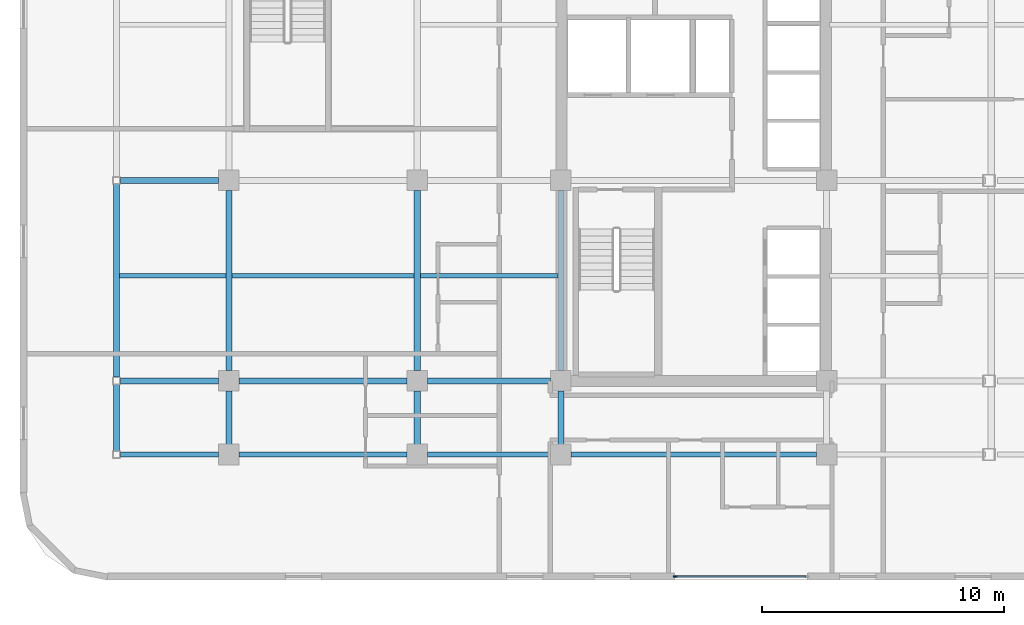
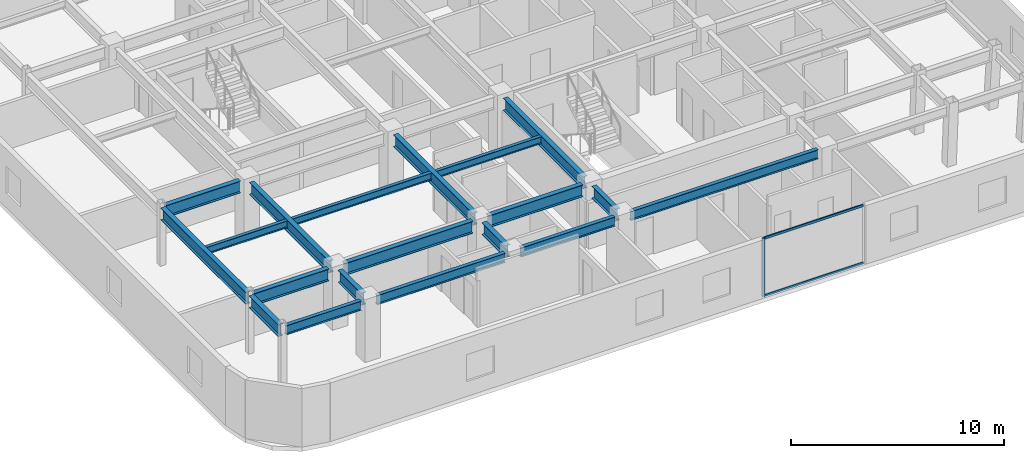
# One storey, part 4 of 13: 19 beams, 3 members, 1 element without a shape of its own.
"""IFC4 building model written with IfcOpenShell, lengths in metres."""

from ifc_helpers import new_model, si_unit, direction, frame, origin, origin_2d, place, context, subcontext, project, spatial, rectangle, i_section, extrude, material, layer, layer_set, material_profile, profile_set, type_object, element, aggregate, save


model = new_model("IFC4")

# Units and contexts
model_context = context("Model", 3, precision=1e-05, world=origin(), true_north=direction((0.0, 1.0)))
body_context = subcontext(model_context, "Body", "Model", "MODEL_VIEW")
ifc_project = project(units=[si_unit("LENGTHUNIT", "METRE"), si_unit("AREAUNIT", "SQUARE_METRE"), si_unit("VOLUMEUNIT", "CUBIC_METRE"), si_unit("PLANEANGLEUNIT", "RADIAN"), si_unit("MASSUNIT", "GRAM", prefix="KILO")], contexts=[model_context])

# Site, building, storey
site_placement = place(None, origin())
site = spatial("IfcSite", under=ifc_project, at=site_placement, CompositionType="ELEMENT")
building_placement = place(site_placement, origin())
building = spatial("IfcBuilding", under=site, at=building_placement, Name="Ochreholt Gables", CompositionType="ELEMENT")
storey_placement = place(building_placement, frame((0.0, 0.0, 56.39990234375)))
storey = spatial("IfcBuildingStorey", under=building, at=storey_placement, Name="L14", CompositionType="ELEMENT", Elevation=56.39990234375)

# Beams
ifc_material_1 = material(Name="Steel CSA G40.21 350W", Category="steel")
ifc_material_profile_1 = material_profile(ifc_material_1, i_section(OverallWidth=0.256103515625, OverallDepth=0.693115234375, WebThickness=0.014404296875, FlangeThickness=0.023681640625, at=origin_2d()), Name="W690X170")
ifc_profile_set_1 = profile_set([ifc_material_profile_1], Name="Steel CSA G40.21 350W")
beam_type_1 = type_object("IfcBeamType", Name="BM-G-W690", PredefinedType="BEAM", material=ifc_profile_set_1)
beam_1_placement = place(storey_placement, frame((5.9521484375, 9.25, 3.003662109375), z_axis=(1.0, 0.0, 0.0), x_axis=(0.0, 1.0, 0.0)))
element("IfcBeam", 1, at=beam_1_placement, inside=storey, type_object=beam_type_1, Name="L14 Beam TBG-L14-WTW2-Y2", PredefinedType="BEAM", context=body_context, shape_type="SweptSolid", body=[
    extrude(i_section(OverallWidth=0.256103515625, OverallDepth=0.693115234375, WebThickness=0.014404296875, FlangeThickness=0.023681640625, at=origin_2d()), origin(), (0.0, 0.0, 1.0), 4.0732421875),
])
beam_2_placement = place(storey_placement, frame((10.87451171875, 9.25, 3.003662109375), z_axis=(1.0, 0.0, 0.0), x_axis=(0.0, 1.0, 0.0)))
element("IfcBeam", 2, at=beam_2_placement, inside=storey, type_object=beam_type_1, Name="L14 Beam TBG-L14-W2W3-Y2", PredefinedType="BEAM", context=body_context, shape_type="SweptSolid", body=[
    extrude(i_section(OverallWidth=0.256103515625, OverallDepth=0.693115234375, WebThickness=0.014404296875, FlangeThickness=0.023681640625, at=origin_2d()), origin(), (0.0, 0.0, 1.0), 6.950927734375),
])
beam_3_placement = place(storey_placement, frame((18.674560546875, 9.25, 3.003662109375), z_axis=(1.0, 0.0, 0.0), x_axis=(0.0, 1.0, 0.0)))
element("IfcBeam", 3, at=beam_3_placement, inside=storey, type_object=beam_type_1, Name="L14 Beam TBG-L14-W3C1-Y2", PredefinedType="BEAM", context=body_context, shape_type="SweptSolid", body=[
    extrude(i_section(OverallWidth=0.256103515625, OverallDepth=0.693115234375, WebThickness=0.014404296875, FlangeThickness=0.023681640625, at=origin_2d()), origin(), (0.0, 0.0, 1.0), 5.100830078125),
])
beam_4_placement = place(storey_placement, frame((5.9521484375, 17.550048828125, 3.003662109375), z_axis=(1.0, 0.0, 0.0), x_axis=(0.0, 1.0, 0.0)))
element("IfcBeam", 4, at=beam_4_placement, inside=storey, type_object=beam_type_1, Name="L14 Beam TBG-L14-WTW2-Y3", PredefinedType="BEAM", context=body_context, shape_type="SweptSolid", body=[
    extrude(i_section(OverallWidth=0.256103515625, OverallDepth=0.693115234375, WebThickness=0.014404296875, FlangeThickness=0.023681640625, at=origin_2d()), origin(), (0.0, 0.0, 1.0), 4.0732421875),
])
beam_5_placement = place(storey_placement, frame((5.800048828125, 6.35205078125, 3.003662109375), z_axis=(0.0, 1.0, 0.0), x_axis=(-1.0, 0.0, 0.0)))
element("IfcBeam", 5, at=beam_5_placement, inside=storey, type_object=beam_type_1, Name="L14 Beam TBN-L14-WT-Y1Y2", PredefinedType="BEAM", context=body_context, shape_type="SweptSolid", body=[
    extrude(i_section(OverallWidth=0.256103515625, OverallDepth=0.693115234375, WebThickness=0.014404296875, FlangeThickness=0.023681640625, at=origin_2d()), origin(), (0.0, 0.0, 1.0), 2.745849609375),
])
beam_6_placement = place(storey_placement, frame((5.800048828125, 9.402099609375, 3.003662109375), z_axis=(0.0, 1.0, 0.0), x_axis=(-1.0, 0.0, 0.0)))
element("IfcBeam", 6, at=beam_6_placement, inside=storey, type_object=beam_type_1, Name="L14 Beam TBN-L14-WT-Y2Y3", PredefinedType="BEAM", context=body_context, shape_type="SweptSolid", body=[
    extrude(i_section(OverallWidth=0.256103515625, OverallDepth=0.693115234375, WebThickness=0.014404296875, FlangeThickness=0.023681640625, at=origin_2d()), origin(), (0.0, 0.0, 1.0), 7.995849609375),
])
beam_7_placement = place(storey_placement, frame((10.449951171875, 6.62451171875, 3.003662109375), z_axis=(0.0, 1.0, 0.0), x_axis=(-1.0, 0.0, 0.0)))
element("IfcBeam", 7, at=beam_7_placement, inside=storey, type_object=beam_type_1, Name="L14 Beam TBN-L14-W2-Y1Y2", PredefinedType="BEAM", context=body_context, shape_type="SweptSolid", body=[
    extrude(i_section(OverallWidth=0.256103515625, OverallDepth=0.693115234375, WebThickness=0.014404296875, FlangeThickness=0.023681640625, at=origin_2d()), origin(), (0.0, 0.0, 1.0), 2.200927734375),
])
beam_8_placement = place(storey_placement, frame((10.449951171875, 9.674560546875, 3.003662109375), z_axis=(0.0, 1.0, 0.0), x_axis=(-1.0, 0.0, 0.0)))
element("IfcBeam", 8, at=beam_8_placement, inside=storey, type_object=beam_type_1, Name="L14 Beam TBN-L14-W2-Y2Y3", PredefinedType="BEAM", context=body_context, shape_type="SweptSolid", body=[
    extrude(i_section(OverallWidth=0.256103515625, OverallDepth=0.693115234375, WebThickness=0.014404296875, FlangeThickness=0.023681640625, at=origin_2d()), origin(), (0.0, 0.0, 1.0), 7.450927734375),
])
beam_9_placement = place(storey_placement, frame((18.25, 6.62451171875, 3.003662109375), z_axis=(0.0, 1.0, 0.0), x_axis=(-1.0, 0.0, 0.0)))
element("IfcBeam", 9, at=beam_9_placement, inside=storey, type_object=beam_type_1, Name="L14 Beam TBN-L14-W3-Y1Y2", PredefinedType="BEAM", context=body_context, shape_type="SweptSolid", body=[
    extrude(i_section(OverallWidth=0.256103515625, OverallDepth=0.693115234375, WebThickness=0.014404296875, FlangeThickness=0.023681640625, at=origin_2d()), origin(), (0.0, 0.0, 1.0), 2.200927734375),
])
beam_10_placement = place(storey_placement, frame((18.25, 9.674560546875, 3.003662109375), z_axis=(0.0, 1.0, 0.0), x_axis=(-1.0, 0.0, 0.0)))
element("IfcBeam", 10, at=beam_10_placement, inside=storey, type_object=beam_type_1, Name="L14 Beam TBN-L14-W3-Y2Y3", PredefinedType="BEAM", context=body_context, shape_type="SweptSolid", body=[
    extrude(i_section(OverallWidth=0.256103515625, OverallDepth=0.693115234375, WebThickness=0.014404296875, FlangeThickness=0.023681640625, at=origin_2d()), origin(), (0.0, 0.0, 1.0), 7.450927734375),
])
beam_11_placement = place(storey_placement, frame((24.199951171875, 6.62451171875, 3.003662109375), z_axis=(0.0, 1.0, 0.0), x_axis=(-1.0, 0.0, 0.0)))
element("IfcBeam", 11, at=beam_11_placement, inside=storey, type_object=beam_type_1, Name="L14 Beam TBN-L14-C1-Y1Y2", PredefinedType="BEAM", context=body_context, shape_type="SweptSolid", body=[
    extrude(i_section(OverallWidth=0.256103515625, OverallDepth=0.693115234375, WebThickness=0.014404296875, FlangeThickness=0.023681640625, at=origin_2d()), origin(), (0.0, 0.0, 1.0), 2.200927734375),
])
beam_12_placement = place(storey_placement, frame((24.199951171875, 9.674560546875, 3.003662109375), z_axis=(0.0, 1.0, 0.0), x_axis=(-1.0, 0.0, 0.0)))
element("IfcBeam", 12, at=beam_12_placement, inside=storey, type_object=beam_type_1, Name="L14 Beam TBN-L14-C1-Y2Y3", PredefinedType="BEAM", context=body_context, shape_type="SweptSolid", body=[
    extrude(i_section(OverallWidth=0.256103515625, OverallDepth=0.693115234375, WebThickness=0.014404296875, FlangeThickness=0.023681640625, at=origin_2d()), origin(), (0.0, 0.0, 1.0), 7.450927734375),
])
ifc_material_profile_2 = material_profile(ifc_material_1, i_section(OverallWidth=0.178955078125, OverallDepth=0.409912109375, WebThickness=0.0087890625, FlangeThickness=0.014404296875, at=origin_2d()), Name="W410X67")
ifc_profile_set_2 = profile_set([ifc_material_profile_2], Name="Steel CSA G40.21 350W")
beam_type_2 = type_object("IfcBeamType", Name="BM-J-W410", PredefinedType="JOIST", material=ifc_profile_set_2)
beam_13_placement = place(storey_placement, frame((5.927490234375, 13.60009765625, 3.14501953125), z_axis=(1.0, 0.0, 0.0), x_axis=(0.0, 1.0, 0.0)))
element("IfcBeam", 13, at=beam_13_placement, inside=storey, type_object=beam_type_2, Name="L14 Beam TBJ-L14-J1-WTW2", PredefinedType="JOIST", context=body_context, shape_type="SweptSolid", body=[
    extrude(i_section(OverallWidth=0.178955078125, OverallDepth=0.409912109375, WebThickness=0.0087890625, FlangeThickness=0.014404296875, at=origin_2d()), origin(), (0.0, 0.0, 1.0), 4.39501953125),
])
beam_14_placement = place(storey_placement, frame((10.57763671875, 13.60009765625, 3.14501953125), z_axis=(1.0, 0.0, 0.0), x_axis=(0.0, 1.0, 0.0)))
element("IfcBeam", 14, at=beam_14_placement, inside=storey, type_object=beam_type_2, Name="L14 Beam TBJ-L14-J1-W2W3", PredefinedType="JOIST", context=body_context, shape_type="SweptSolid", body=[
    extrude(i_section(OverallWidth=0.178955078125, OverallDepth=0.409912109375, WebThickness=0.0087890625, FlangeThickness=0.014404296875, at=origin_2d()), origin(), (0.0, 0.0, 1.0), 7.544677734375),
])
beam_15_placement = place(storey_placement, frame((18.377685546875, 13.60009765625, 3.14501953125), z_axis=(1.0, 0.0, 0.0), x_axis=(0.0, 1.0, 0.0)))
element("IfcBeam", 15, at=beam_15_placement, inside=storey, type_object=beam_type_2, Name="L14 Beam TBJ-L14-J1-W3C1", PredefinedType="JOIST", context=body_context, shape_type="SweptSolid", body=[
    extrude(i_section(OverallWidth=0.178955078125, OverallDepth=0.409912109375, WebThickness=0.0087890625, FlangeThickness=0.014404296875, at=origin_2d()), origin(), (0.0, 0.0, 1.0), 5.69482421875),
])
ifc_material_profile_3 = material_profile(ifc_material_1, i_section(OverallWidth=0.208984375, OverallDepth=0.532958984375, WebThickness=0.01025390625, FlangeThickness=0.015625, at=origin_2d()), Name="W530X92")
ifc_profile_set_3 = profile_set([ifc_material_profile_3], Name="Steel CSA G40.21 350W")
beam_type_3 = type_object("IfcBeamType", Name="BM-SP-W530B", PredefinedType="SPANDREL", material=ifc_profile_set_3)
beam_16_placement = place(storey_placement, frame((5.9521484375, 6.199951171875, 3.08349609375), z_axis=(1.0, 0.0, 0.0), x_axis=(0.0, 1.0, 0.0)))
element("IfcBeam", 16, at=beam_16_placement, inside=storey, type_object=beam_type_3, Name="L14 Beam TBG-L14-WTW2-Y1", PredefinedType="SPANDREL", context=body_context, shape_type="SweptSolid", body=[
    extrude(i_section(OverallWidth=0.208984375, OverallDepth=0.532958984375, WebThickness=0.01025390625, FlangeThickness=0.015625, at=origin_2d()), origin(), (0.0, 0.0, 1.0), 4.0732421875),
])
beam_17_placement = place(storey_placement, frame((10.87451171875, 6.199951171875, 3.08349609375), z_axis=(1.0, 0.0, 0.0), x_axis=(0.0, 1.0, 0.0)))
element("IfcBeam", 17, at=beam_17_placement, inside=storey, type_object=beam_type_3, Name="L14 Beam TBG-L14-W2W3-Y1", PredefinedType="SPANDREL", context=body_context, shape_type="SweptSolid", body=[
    extrude(i_section(OverallWidth=0.208984375, OverallDepth=0.532958984375, WebThickness=0.01025390625, FlangeThickness=0.015625, at=origin_2d()), origin(), (0.0, 0.0, 1.0), 6.950927734375),
])
beam_18_placement = place(storey_placement, frame((18.674560546875, 6.199951171875, 3.08349609375), z_axis=(1.0, 0.0, 0.0), x_axis=(0.0, 1.0, 0.0)))
element("IfcBeam", 18, at=beam_18_placement, inside=storey, type_object=beam_type_3, Name="L14 Beam TBG-L14-W3C1-Y1", PredefinedType="SPANDREL", context=body_context, shape_type="SweptSolid", body=[
    extrude(i_section(OverallWidth=0.208984375, OverallDepth=0.532958984375, WebThickness=0.01025390625, FlangeThickness=0.015625, at=origin_2d()), origin(), (0.0, 0.0, 1.0), 5.100830078125),
])
beam_19_placement = place(storey_placement, frame((24.62451171875, 6.199951171875, 3.08349609375), z_axis=(1.0, 0.0, 0.0), x_axis=(0.0, 1.0, 0.0)))
element("IfcBeam", 19, at=beam_19_placement, inside=storey, type_object=beam_type_3, Name="L14 Beam TBG-L14-C1C2-Y1", PredefinedType="SPANDREL", context=body_context, shape_type="SweptSolid", body=[
    extrude(i_section(OverallWidth=0.208984375, OverallDepth=0.532958984375, WebThickness=0.01025390625, FlangeThickness=0.015625, at=origin_2d()), origin(), (0.0, 0.0, 1.0), 10.15087890625),
])

# Curtain wall, members
ifc_material_2 = material(Name="Unitised Aluminium and Triple Glazing", Category="aluminium")
ifc_layer = layer(ifc_material_2, 0.179931640625, Name="Unitised Aluminium and Triple Glazing")
ifc_layer_set = layer_set([ifc_layer], Name="Unitised Aluminium and Triple Glazing")
curtain_wall_type = type_object("IfcCurtainWallType", Name="CW-SYS2", PredefinedType="NOTDEFINED", material=ifc_layer_set)
curtain_wall_placement = place(storey_placement, origin())
curtain_wall = element("IfcCurtainWall", 20, at=curtain_wall_placement, inside=storey, type_object=curtain_wall_type, Name="L14 South Unitised Curtain Wall", PredefinedType="NOTDEFINED")
ifc_material_3 = material(Name="Anodized Aluminium 6063-T6", Category="aluminium")
ifc_material_profile_4 = material_profile(ifc_material_3, rectangle(XDim=0.06494140625, YDim=0.1650390625, at=origin_2d()), Name="CWM65X165")
ifc_profile_set_4 = profile_set([ifc_material_profile_4], Name="Anodized Aluminium 6063-T6")
member_type_1 = type_object("IfcMemberType", Name="CW-MUL-B", PredefinedType="MULLION", material=ifc_profile_set_4)
member_1_placement = place(storey_placement, frame((28.933837890625, 1.14501953125, 0.0), z_axis=(0.0, 0.0, 1.0), x_axis=(0.0, 1.0, 0.0)))
member_1 = element("IfcMember", 21, at=member_1_placement, type_object=member_type_1, Name="CW-2 mullion 1", PredefinedType="MULLION", context=body_context, shape_type="SweptSolid", body=[
    extrude(rectangle(XDim=0.06494140625, YDim=0.1650390625, at=origin_2d()), origin(), (0.0, 0.0, 1.0), 3.35009765625),
])
ifc_material_profile_5 = material_profile(ifc_material_3, rectangle(XDim=0.06494140625, YDim=0.135009765625, at=origin_2d()), Name="CWT65X135")
ifc_profile_set_5 = profile_set([ifc_material_profile_5], Name="Anodized Aluminium 6063-T6")
member_type_2 = type_object("IfcMemberType", Name="CW-TRN-B", PredefinedType="USERDEFINED", material=ifc_profile_set_5)
member_2_placement = place(storey_placement, frame((28.96630859375, 1.14501953125, 0.03271484375), z_axis=(1.0, 0.0, 0.0), x_axis=(0.0, 1.0, 0.0)))
member_2 = element("IfcMember", 22, at=member_2_placement, type_object=member_type_2, Name="CW-2 transom 1.1", ObjectType="TRANSOM", PredefinedType="USERDEFINED", context=body_context, shape_type="SweptSolid", body=[
    extrude(rectangle(XDim=0.06494140625, YDim=0.135009765625, at=origin_2d()), origin(), (0.0, 0.0, 1.0), 5.36865234375),
])
member_3_placement = place(storey_placement, frame((28.96630859375, 1.14501953125, 3.317626953125), z_axis=(1.0, 0.0, 0.0), x_axis=(0.0, 1.0, 0.0)))
member_3 = element("IfcMember", 23, at=member_3_placement, type_object=member_type_2, Name="CW-2 transom 1.2", ObjectType="TRANSOM", PredefinedType="USERDEFINED", context=body_context, shape_type="SweptSolid", body=[
    extrude(rectangle(XDim=0.06494140625, YDim=0.135009765625, at=origin_2d()), origin(), (0.0, 0.0, 1.0), 5.36865234375),
])
aggregate(curtain_wall, [member_1, member_2, member_3])

save(model, "model.ifc")
